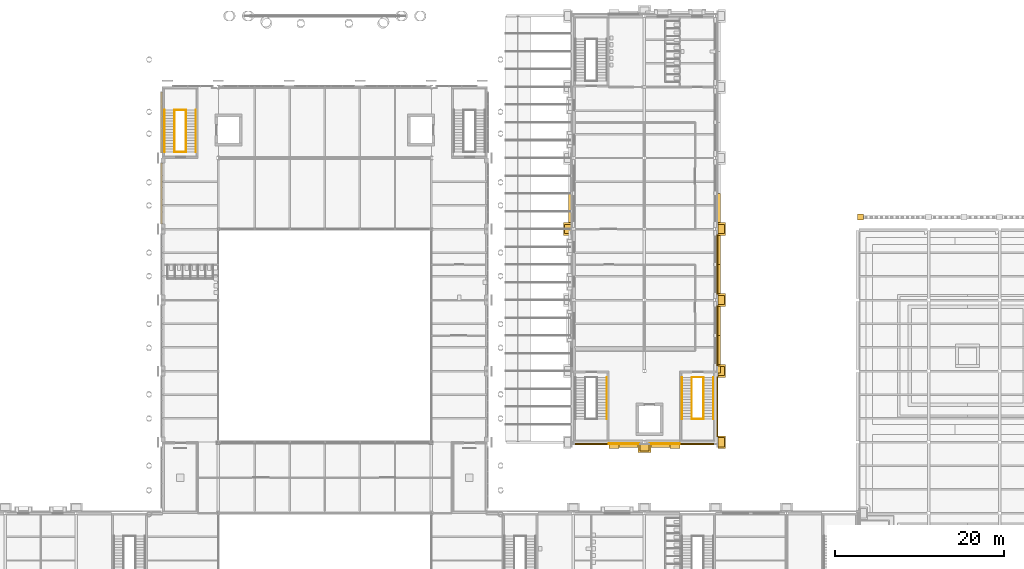
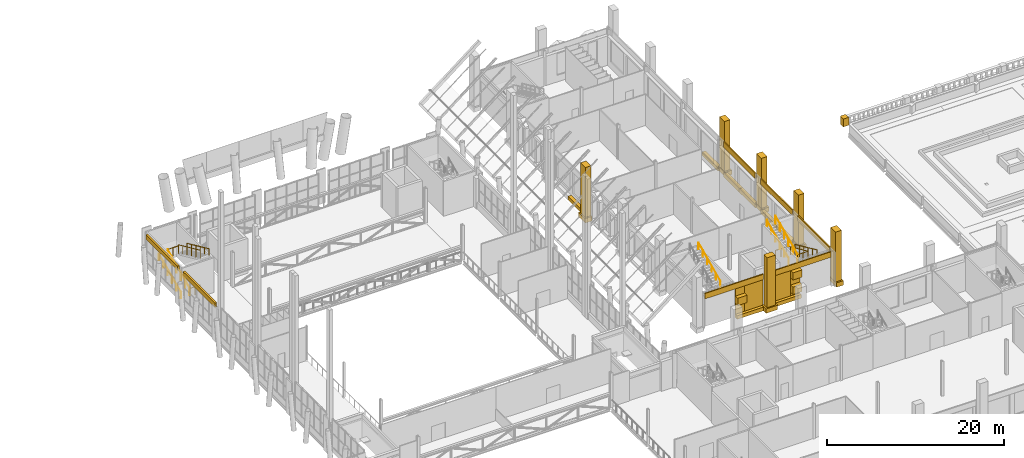
# One storey, part 66 of 76: 38 coverings, 13 railings.
"""IFC4 building model written with IfcOpenShell, lengths in metres."""

from ifc_helpers import new_model, si_unit, direction, frame, origin, origin_2d, place, context, subcontext, project, spatial, polyline, rectangle, circle, outline, extrude, material, layer, layer_set, type_object, element, save


model = new_model("IFC4")

# Units and contexts
model_context = context("Model", 3, precision=1e-05, world=origin(), true_north=direction((0.0, 1.0)))
body_context = subcontext(model_context, "Body", "Model", "MODEL_VIEW")
ifc_project = project(units=[si_unit("LENGTHUNIT", "METRE"), si_unit("AREAUNIT", "SQUARE_METRE"), si_unit("VOLUMEUNIT", "CUBIC_METRE"), si_unit("PLANEANGLEUNIT", "RADIAN"), si_unit("MASSUNIT", "GRAM", prefix="KILO")], contexts=[model_context])

# Site, building, storey
site_placement = place(None, origin())
site = spatial("IfcSite", under=ifc_project, at=site_placement, CompositionType="ELEMENT")
building_placement = place(site_placement, origin())
building = spatial("IfcBuilding", under=site, at=building_placement, Name="Sava Quay Ferry Terminal", CompositionType="ELEMENT")
storey_placement = place(building_placement, frame((0.0, 0.0, 6.0)))
storey = spatial("IfcBuildingStorey", under=building, at=storey_placement, Name="L01", CompositionType="ELEMENT", Elevation=6.0)

# Coverings
ifc_material_1 = material(Name="Limestone Mutalj", Category="masonry")
ifc_layer_1 = layer(ifc_material_1, 0.699951171875)
ifc_layer_set_1 = layer_set([ifc_layer_1], Name="Limestone Mutalj")
covering_type_1 = type_object("IfcCoveringType", Name="Balustrade pier 700", PredefinedType="MOLDING", material=ifc_layer_set_1)
covering_1_placement = place(storey_placement, frame((126.35009765625, 85.409912109375, 0.0), z_axis=(0.0, 0.0, 1.0), x_axis=(1.0, 0.0, 0.0)))
element("IfcCovering", 1, at=covering_1_placement, inside=storey, type_object=covering_type_1, Name="Balustrade pier", PredefinedType="MOLDING", context=body_context, shape_type="SweptSolid", body=[
    extrude(rectangle(XDim=0.699951171875, YDim=0.699951171875, at=origin_2d()), origin(), (0.0, 0.0, 1.0), 1.10009765625),
])
ifc_material_2 = material(Name="Copper patinated")
ifc_layer_2 = layer(ifc_material_2, 0.25)
ifc_layer_set_2 = layer_set([ifc_layer_2], Name="Copper patinated")
covering_type_2 = type_object("IfcCoveringType", Name="Copper spandrel panel 250", PredefinedType="CLADDING", material=ifc_layer_set_2)
for number, where, z_axis, x_axis, name in (
    (2, (43.699951171875, 84.60009765625, 4.199951171875), (0.0, 0.0, 1.0), (0.0, 1.0, 0.0), "Spandrel panel D-W"),
    (3, (43.699951171875, 93.0, 4.199951171875), (0.0, 0.0, 1.0), (0.0, 1.0, 0.0), "Spandrel panel D-W"),
):
    element("IfcCovering", number, at=place(storey_placement, frame(where, z_axis=z_axis, x_axis=x_axis)), inside=storey, type_object=covering_type_2, Name=name, PredefinedType="CLADDING", context=body_context, shape_type="SweptSolid", body=[
        extrude(outline(polyline([(0.0, 0.0), (7.199951171875, 0.0), (7.199951171875, 0.60009765625), (0.0, 0.60009765625), (0.0, 0.0)])), frame((0.0, 0.125, 0.0), z_axis=(0.0, -1.0, 0.0), x_axis=(1.0, 0.0, 0.0)), (0.0, 0.0, 1.0), 0.25),
    ])
ifc_material_3 = material(Name="Limestone Mutalj", Category="masonry")
ifc_layer_3 = layer(ifc_material_3, 0.60009765625)
ifc_layer_set_3 = layer_set([ifc_layer_3], Name="Limestone Mutalj")
covering_type_3 = type_object("IfcCoveringType", Name="Corner quoin block 1200", PredefinedType="CLADDING", material=ifc_layer_set_3)
for number, where, z_axis, x_axis, name in (
    (4, (97.199951171875, 58.340087890625, 2.0), (0.0, 0.0, 1.0), (1.0, 0.0, 0.0), "Corner quoin block"),
    (5, (104.39990234375, 58.340087890625, 1.0), (0.0, 0.0, 1.0), (1.0, 0.0, 0.0), "Corner quoin block"),
    (6, (104.39990234375, 58.340087890625, 3.0), (0.0, 0.0, 1.0), (1.0, 0.0, 0.0), "Corner quoin block"),
):
    element("IfcCovering", number, at=place(storey_placement, frame(where, z_axis=z_axis, x_axis=x_axis)), inside=storey, type_object=covering_type_3, Name=name, PredefinedType="CLADDING", context=body_context, shape_type="SweptSolid", body=[
        extrude(rectangle(XDim=1.199951171875, YDim=0.60009765625, at=origin_2d()), origin(), (0.0, 0.0, 1.0), 1.0),
    ])
ifc_material_4 = material(Name="Limestone Mutalj", Category="masonry")
ifc_layer_4 = layer(ifc_material_4, 0.89990234375)
ifc_layer_set_4 = layer_set([ifc_layer_4], Name="Limestone Mutalj")
covering_type_4 = type_object("IfcCoveringType", Name="Giant-order pilaster base 1500", PredefinedType="MOLDING", material=ifc_layer_set_4)
for number, where, z_axis, x_axis, name in (
    (7, (109.949951171875, 58.800048828125, 0.0), (0.0, 0.0, 1.0), (1.0, 0.0, 0.0), "Giant-order pilaster base"),
    (8, (109.949951171875, 67.199951171875, 0.0), (0.0, 0.0, 1.0), (1.0, 0.0, 0.0), "Giant-order pilaster base"),
    (9, (109.949951171875, 75.60009765625, 0.0), (0.0, 0.0, 1.0), (1.0, 0.0, 0.0), "Giant-order pilaster base"),
    (10, (109.949951171875, 84.0, 0.0), (0.0, 0.0, 1.0), (1.0, 0.0, 0.0), "Giant-order pilaster base"),
):
    element("IfcCovering", number, at=place(storey_placement, frame(where, z_axis=z_axis, x_axis=x_axis)), inside=storey, type_object=covering_type_4, Name=name, PredefinedType="MOLDING", context=body_context, shape_type="SweptSolid", body=[
        extrude(rectangle(XDim=0.89990234375, YDim=1.5, at=origin_2d()), origin(), (0.0, 0.0, 1.0), 0.60009765625),
    ])
covering_2_placement = place(storey_placement, frame((100.800048828125, 58.0400390625, 0.0), z_axis=(0.0, 0.0, 1.0), x_axis=(1.0, 0.0, 0.0)))
element("IfcCovering", 11, at=covering_2_placement, inside=storey, type_object=covering_type_4, Name="Giant-order pilaster base", PredefinedType="MOLDING", context=body_context, shape_type="SweptSolid", body=[
    extrude(rectangle(XDim=1.5, YDim=0.89990234375, at=origin_2d()), origin(), (0.0, 0.0, 1.0), 0.60009765625),
])
covering_3_placement = place(storey_placement, frame((91.64990234375, 84.0, 0.0), z_axis=(0.0, 0.0, 1.0), x_axis=(1.0, 0.0, 0.0)))
element("IfcCovering", 12, at=covering_3_placement, inside=storey, type_object=covering_type_4, Name="Giant-order pilaster base", PredefinedType="MOLDING", context=body_context, shape_type="SweptSolid", body=[
    extrude(rectangle(XDim=0.89990234375, YDim=1.5, at=origin_2d()), origin(), (0.0, 0.0, 1.0), 0.60009765625),
])
ifc_material_5 = material(Name="Limestone Mutalj", Category="masonry")
ifc_layer_5 = layer(ifc_material_5, 0.75)
ifc_layer_set_5 = layer_set([ifc_layer_5], Name="Limestone Mutalj")
covering_type_5 = type_object("IfcCoveringType", Name="Giant-order pilaster shaft 1100", PredefinedType="CLADDING", material=ifc_layer_set_5)
for number, where, z_axis, x_axis, name in (
    (13, (109.875, 58.800048828125, 0.60009765625), (0.0, 0.0, 1.0), (1.0, 0.0, 0.0), "Giant-order pilaster"),
    (14, (109.875, 67.199951171875, 0.60009765625), (0.0, 0.0, 1.0), (1.0, 0.0, 0.0), "Giant-order pilaster"),
    (15, (109.875, 75.60009765625, 0.60009765625), (0.0, 0.0, 1.0), (1.0, 0.0, 0.0), "Giant-order pilaster"),
    (16, (109.875, 84.0, 0.60009765625), (0.0, 0.0, 1.0), (1.0, 0.0, 0.0), "Giant-order pilaster"),
):
    element("IfcCovering", number, at=place(storey_placement, frame(where, z_axis=z_axis, x_axis=x_axis)), inside=storey, type_object=covering_type_5, Name=name, PredefinedType="CLADDING", context=body_context, shape_type="SweptSolid", body=[
        extrude(rectangle(XDim=0.75, YDim=1.10009765625, at=origin_2d()), origin(), (0.0, 0.0, 1.0), 6.89990234375),
    ])
covering_4_placement = place(storey_placement, frame((100.800048828125, 58.114990234375, 0.60009765625), z_axis=(0.0, 0.0, 1.0), x_axis=(1.0, 0.0, 0.0)))
element("IfcCovering", 17, at=covering_4_placement, inside=storey, type_object=covering_type_5, Name="Giant-order pilaster", PredefinedType="CLADDING", context=body_context, shape_type="SweptSolid", body=[
    extrude(rectangle(XDim=1.10009765625, YDim=0.75, at=origin_2d()), origin(), (0.0, 0.0, 1.0), 6.89990234375),
])
covering_5_placement = place(storey_placement, frame((91.72509765625, 84.0, 0.60009765625), z_axis=(0.0, 0.0, 1.0), x_axis=(1.0, 0.0, 0.0)))
element("IfcCovering", 18, at=covering_5_placement, inside=storey, type_object=covering_type_5, Name="Giant-order pilaster", PredefinedType="CLADDING", context=body_context, shape_type="SweptSolid", body=[
    extrude(rectangle(XDim=0.75, YDim=1.10009765625, at=origin_2d()), origin(), (0.0, 0.0, 1.0), 6.89990234375),
])

# Railings
ifc_material_6 = material(Name="Steel S355", Category="steel")
railing_type_1 = type_object("IfcRailingType", Name="Guard 1100", PredefinedType="GUARDRAIL", material=ifc_material_6)
railing_1_placement = place(storey_placement, frame((45.199951171875, 93.1298828125, 0.0)))
element("IfcRailing", 19, at=railing_1_placement, inside=storey, type_object=railing_type_1, Name="Guard at stair well ST-D5 L01", PredefinedType="GUARDRAIL", context=body_context, shape_type="SweptSolid", body=[
    extrude(circle(Radius=0.02392578125, at=origin_2d()), frame((0.0, 0.0, 1.076171875), z_axis=(1.0, 0.0, 0.0), x_axis=(0.0, 1.0, 0.0)), (0.0, 0.0, 1.0), 1.400146484375),
    extrude(circle(Radius=0.02099609375, at=origin_2d()), origin(), (0.0, 0.0, 1.0), 1.052001953125),
    extrude(circle(Radius=0.02099609375, at=origin_2d()), frame((0.7001953125, 0.0, 0.0)), (0.0, 0.0, 1.0), 1.052001953125),
    extrude(circle(Radius=0.02099609375, at=origin_2d()), frame((1.400146484375, 0.0, 0.0)), (0.0, 0.0, 1.0), 1.052001953125),
])
railing_2_placement = place(storey_placement, frame((45.199951171875, 93.1298828125, 0.14990234375)))
element("IfcRailing", 20, at=railing_2_placement, inside=storey, type_object=railing_type_1, Name="Guard at stair well ST-D5 L01", PredefinedType="GUARDRAIL", context=body_context, shape_type="SweptSolid", body=[
    extrude(circle(Radius=0.02392578125, at=origin_2d()), frame((0.0, 0.0, 1.076171875), z_axis=(0.0, 0.910372627913, 0.413789413043), x_axis=(-1.0, 0.0, 0.0)), (0.0, 0.0, 1.0), 5.4375),
    extrude(circle(Radius=0.02099609375, at=origin_2d()), origin(), (0.0, 0.0, 1.0), 1.052001953125),
    extrude(circle(Radius=0.02099609375, at=origin_2d()), frame((0.0, 0.989990234375, 0.449951171875)), (0.0, 0.0, 1.0), 1.052001953125),
    extrude(circle(Radius=0.02099609375, at=origin_2d()), frame((0.0, 1.97998046875, 0.89990234375)), (0.0, 0.0, 1.0), 1.052001953125),
    extrude(circle(Radius=0.02099609375, at=origin_2d()), frame((0.0, 2.97021484375, 1.35009765625)), (0.0, 0.0, 1.0), 1.052001953125),
    extrude(circle(Radius=0.02099609375, at=origin_2d()), frame((0.0, 3.960205078125, 1.800048828125)), (0.0, 0.0, 1.0), 1.052001953125),
    extrude(circle(Radius=0.02099609375, at=origin_2d()), frame((0.0, 4.9501953125, 2.25)), (0.0, 0.0, 1.0), 1.052001953125),
])
railing_3_placement = place(storey_placement, frame((46.60009765625, 98.080078125, 2.550048828125)))
element("IfcRailing", 21, at=railing_3_placement, inside=storey, type_object=railing_type_1, Name="Guard at stair well ST-D5 L01", PredefinedType="GUARDRAIL", context=body_context, shape_type="SweptSolid", body=[
    extrude(circle(Radius=0.02392578125, at=origin_2d()), frame((0.0, 0.0, 1.076171875), z_axis=(0.0, -0.910372627913, 0.413789413043), x_axis=(1.0, 0.0, 0.0)), (0.0, 0.0, 1.0), 5.4375),
    extrude(circle(Radius=0.02099609375, at=origin_2d()), origin(), (0.0, 0.0, 1.0), 1.052001953125),
    extrude(circle(Radius=0.02099609375, at=origin_2d()), frame((0.0, -0.989990234375, 0.449951171875)), (0.0, 0.0, 1.0), 1.052001953125),
    extrude(circle(Radius=0.02099609375, at=origin_2d()), frame((0.0, -1.97998046875, 0.89990234375)), (0.0, 0.0, 1.0), 1.052001953125),
    extrude(circle(Radius=0.02099609375, at=origin_2d()), frame((0.0, -2.97021484375, 1.35009765625)), (0.0, 0.0, 1.0), 1.052001953125),
    extrude(circle(Radius=0.02099609375, at=origin_2d()), frame((0.0, -3.960205078125, 1.800048828125)), (0.0, 0.0, 1.0), 1.052001953125),
    extrude(circle(Radius=0.02099609375, at=origin_2d()), frame((0.0, -4.9501953125, 2.25)), (0.0, 0.0, 1.0), 1.052001953125),
])
for number, where, name in (
    (22, (45.199951171875, 98.080078125, 2.39990234375), "Guard at half landing ST-D5 L01"),
    (23, (106.39990234375, 66.469970703125, 0.0), "Guard at stair well ST-O2 L01"),
):
    element("IfcRailing", number, at=place(storey_placement, frame(where)), inside=storey, type_object=railing_type_1, Name=name, PredefinedType="GUARDRAIL", context=body_context, shape_type="SweptSolid", body=[
        extrude(circle(Radius=0.02392578125, at=origin_2d()), frame((0.0, 0.0, 1.076171875), z_axis=(1.0, 0.0, 0.0), x_axis=(0.0, 1.0, 0.0)), (0.0, 0.0, 1.0), 1.400146484375),
        extrude(circle(Radius=0.02099609375, at=origin_2d()), origin(), (0.0, 0.0, 1.0), 1.052001953125),
        extrude(circle(Radius=0.02099609375, at=origin_2d()), frame((0.7001953125, 0.0, 0.0)), (0.0, 0.0, 1.0), 1.052001953125),
        extrude(circle(Radius=0.02099609375, at=origin_2d()), frame((1.400146484375, 0.0, 0.0)), (0.0, 0.0, 1.0), 1.052001953125),
    ])
railing_4_placement = place(storey_placement, frame((107.800048828125, 66.469970703125, 0.14990234375)))
element("IfcRailing", 24, at=railing_4_placement, inside=storey, type_object=railing_type_1, Name="Guard at stair well ST-O2 L01", PredefinedType="GUARDRAIL", context=body_context, shape_type="SweptSolid", body=[
    extrude(circle(Radius=0.02392578125, at=origin_2d()), frame((0.0, 0.0, 1.076171875), z_axis=(0.0, -0.910364939756, 0.41380632724), x_axis=(1.0, 0.0, 0.0)), (0.0, 0.0, 1.0), 5.437255859375),
    extrude(circle(Radius=0.02099609375, at=origin_2d()), origin(), (0.0, 0.0, 1.0), 1.052001953125),
    extrude(circle(Radius=0.02099609375, at=origin_2d()), frame((0.0, -0.989990234375, 0.449951171875)), (0.0, 0.0, 1.0), 1.052001953125),
    extrude(circle(Radius=0.02099609375, at=origin_2d()), frame((0.0, -1.97998046875, 0.89990234375)), (0.0, 0.0, 1.0), 1.052001953125),
    extrude(circle(Radius=0.02099609375, at=origin_2d()), frame((0.0, -2.969970703125, 1.35009765625)), (0.0, 0.0, 1.0), 1.052001953125),
    extrude(circle(Radius=0.02099609375, at=origin_2d()), frame((0.0, -3.9599609375, 1.800048828125)), (0.0, 0.0, 1.0), 1.052001953125),
    extrude(circle(Radius=0.02099609375, at=origin_2d()), frame((0.0, -4.949951171875, 2.25)), (0.0, 0.0, 1.0), 1.052001953125),
])
railing_5_placement = place(storey_placement, frame((106.39990234375, 61.52001953125, 2.550048828125)))
element("IfcRailing", 25, at=railing_5_placement, inside=storey, type_object=railing_type_1, Name="Guard at stair well ST-O2 L01", PredefinedType="GUARDRAIL", context=body_context, shape_type="SweptSolid", body=[
    extrude(circle(Radius=0.02392578125, at=origin_2d()), frame((0.0, 0.0, 1.076171875), z_axis=(0.0, 0.910364939756, 0.41380632724), x_axis=(-1.0, 0.0, 0.0)), (0.0, 0.0, 1.0), 5.437255859375),
    extrude(circle(Radius=0.02099609375, at=origin_2d()), origin(), (0.0, 0.0, 1.0), 1.052001953125),
    extrude(circle(Radius=0.02099609375, at=origin_2d()), frame((0.0, 0.989990234375, 0.449951171875)), (0.0, 0.0, 1.0), 1.052001953125),
    extrude(circle(Radius=0.02099609375, at=origin_2d()), frame((0.0, 1.97998046875, 0.89990234375)), (0.0, 0.0, 1.0), 1.052001953125),
    extrude(circle(Radius=0.02099609375, at=origin_2d()), frame((0.0, 2.969970703125, 1.35009765625)), (0.0, 0.0, 1.0), 1.052001953125),
    extrude(circle(Radius=0.02099609375, at=origin_2d()), frame((0.0, 3.9599609375, 1.800048828125)), (0.0, 0.0, 1.0), 1.052001953125),
    extrude(circle(Radius=0.02099609375, at=origin_2d()), frame((0.0, 4.949951171875, 2.25)), (0.0, 0.0, 1.0), 1.052001953125),
])
railing_6_placement = place(storey_placement, frame((106.39990234375, 61.52001953125, 2.39990234375)))
element("IfcRailing", 26, at=railing_6_placement, inside=storey, type_object=railing_type_1, Name="Guard at half landing ST-O2 L01", PredefinedType="GUARDRAIL", context=body_context, shape_type="SweptSolid", body=[
    extrude(circle(Radius=0.02392578125, at=origin_2d()), frame((0.0, 0.0, 1.076171875), z_axis=(1.0, 0.0, 0.0), x_axis=(0.0, 1.0, 0.0)), (0.0, 0.0, 1.0), 1.400146484375),
    extrude(circle(Radius=0.02099609375, at=origin_2d()), origin(), (0.0, 0.0, 1.0), 1.052001953125),
    extrude(circle(Radius=0.02099609375, at=origin_2d()), frame((0.7001953125, 0.0, 0.0)), (0.0, 0.0, 1.0), 1.052001953125),
    extrude(circle(Radius=0.02099609375, at=origin_2d()), frame((1.400146484375, 0.0, 0.0)), (0.0, 0.0, 1.0), 1.052001953125),
])

# Coverings
ifc_material_7 = material(Name="Limestone Mutalj", Category="masonry")
ifc_layer_6 = layer(ifc_material_7, 0.080078125)
ifc_layer_set_6 = layer_set([ifc_layer_6], Name="Limestone Mutalj")
covering_type_6 = type_object("IfcCoveringType", Name="Light stone cladding 80", PredefinedType="CLADDING", material=ifc_layer_set_6)
covering_6_placement = place(storey_placement, frame((97.199951171875, 58.60009765625, 0.5), z_axis=(0.0, 0.0, 1.0), x_axis=(1.0, 0.0, 0.0)))
element("IfcCovering", 27, at=covering_6_placement, inside=storey, type_object=covering_type_6, Name="Light stone cladding", PredefinedType="CLADDING", context=body_context, shape_type="SweptSolid", body=[
    extrude(rectangle(XDim=1.199951171875, YDim=0.080078125, at=origin_2d()), origin(), (0.0, 0.0, 1.0), 1.5),
])
covering_7_placement = place(storey_placement, frame((97.199951171875, 58.60009765625, 3.0), z_axis=(0.0, 0.0, 1.0), x_axis=(1.0, 0.0, 0.0)))
element("IfcCovering", 28, at=covering_7_placement, inside=storey, type_object=covering_type_6, Name="Light stone cladding", PredefinedType="CLADDING", context=body_context, shape_type="SweptSolid", body=[
    extrude(rectangle(XDim=1.199951171875, YDim=0.080078125, at=origin_2d()), origin(), (0.0, 0.0, 1.0), 1.050048828125),
])
for number, where, z_axis, x_axis, name in (
    (29, (99.0, 58.60009765625, 0.5), (0.0, 0.0, 1.0), (1.0, 0.0, 0.0), "Light stone cladding"),
    (30, (102.60009765625, 58.60009765625, 0.5), (0.0, 0.0, 1.0), (1.0, 0.0, 0.0), "Light stone cladding"),
):
    element("IfcCovering", number, at=place(storey_placement, frame(where, z_axis=z_axis, x_axis=x_axis)), inside=storey, type_object=covering_type_6, Name=name, PredefinedType="CLADDING", context=body_context, shape_type="SweptSolid", body=[
        extrude(rectangle(XDim=2.39990234375, YDim=0.080078125, at=origin_2d()), origin(), (0.0, 0.0, 1.0), 3.550048828125),
    ])
covering_8_placement = place(storey_placement, frame((104.39990234375, 58.60009765625, 0.5), z_axis=(0.0, 0.0, 1.0), x_axis=(1.0, 0.0, 0.0)))
element("IfcCovering", 31, at=covering_8_placement, inside=storey, type_object=covering_type_6, Name="Light stone cladding", PredefinedType="CLADDING", context=body_context, shape_type="SweptSolid", body=[
    extrude(rectangle(XDim=1.199951171875, YDim=0.080078125, at=origin_2d()), origin(), (0.0, 0.0, 1.0), 0.5),
])
covering_9_placement = place(storey_placement, frame((104.39990234375, 58.60009765625, 2.0), z_axis=(0.0, 0.0, 1.0), x_axis=(1.0, 0.0, 0.0)))
element("IfcCovering", 32, at=covering_9_placement, inside=storey, type_object=covering_type_6, Name="Light stone cladding", PredefinedType="CLADDING", context=body_context, shape_type="SweptSolid", body=[
    extrude(rectangle(XDim=1.199951171875, YDim=0.080078125, at=origin_2d()), origin(), (0.0, 0.0, 1.0), 1.0),
])
ifc_material_8 = material(Name="Limestone Mutalj", Category="masonry")
ifc_layer_7 = layer(ifc_material_8, 0.14990234375)
ifc_layer_set_7 = layer_set([ifc_layer_7], Name="Limestone Mutalj")
covering_type_7 = type_object("IfcCoveringType", Name="Limestone string course 150", PredefinedType="CLADDING", material=ifc_layer_set_7)
covering_10_placement = place(storey_placement, frame((0.0, 0.0, 4.050048828125)))
element("IfcCovering", 33, at=covering_10_placement, inside=storey, type_object=covering_type_7, Name="String course O-S", PredefinedType="CLADDING", context=body_context, shape_type="SweptSolid", body=[
    extrude(outline(polyline([(92.550048828125, 58.639892578125), (100.199951171875, 58.639892578125), (100.199951171875, 58.489990234375), (92.550048828125, 58.489990234375), (92.550048828125, 58.639892578125)])), origin(), (0.0, 0.0, 1.0), 0.75),
])
covering_11_placement = place(storey_placement, frame((0.0, 0.0, 4.050048828125)))
element("IfcCovering", 34, at=covering_11_placement, inside=storey, type_object=covering_type_7, Name="String course O-S", PredefinedType="CLADDING", context=body_context, shape_type="SweptSolid", body=[
    extrude(outline(polyline([(101.39990234375, 58.639892578125), (109.050048828125, 58.639892578125), (109.050048828125, 58.489990234375), (101.39990234375, 58.489990234375), (101.39990234375, 58.639892578125)])), origin(), (0.0, 0.0, 1.0), 0.75),
])
covering_12_placement = place(storey_placement, frame((0.0, 0.0, 4.050048828125)))
element("IfcCovering", 35, at=covering_12_placement, inside=storey, type_object=covering_type_7, Name="String course O-E", PredefinedType="CLADDING", context=body_context, shape_type="SweptSolid", body=[
    extrude(outline(polyline([(109.35009765625, 59.39990234375), (109.35009765625, 66.60009765625), (109.5, 66.60009765625), (109.5, 59.39990234375), (109.35009765625, 59.39990234375)])), origin(), (0.0, 0.0, 1.0), 0.75),
])
covering_13_placement = place(storey_placement, frame((0.0, 0.0, 4.050048828125)))
element("IfcCovering", 36, at=covering_13_placement, inside=storey, type_object=covering_type_7, Name="String course O-E", PredefinedType="CLADDING", context=body_context, shape_type="SweptSolid", body=[
    extrude(outline(polyline([(109.35009765625, 67.800048828125), (109.35009765625, 75.0), (109.5, 75.0), (109.5, 67.800048828125), (109.35009765625, 67.800048828125)])), origin(), (0.0, 0.0, 1.0), 0.75),
])
covering_14_placement = place(storey_placement, frame((0.0, 0.0, 4.050048828125)))
element("IfcCovering", 37, at=covering_14_placement, inside=storey, type_object=covering_type_7, Name="String course O-E", PredefinedType="CLADDING", context=body_context, shape_type="SweptSolid", body=[
    extrude(outline(polyline([(109.35009765625, 76.199951171875), (109.35009765625, 83.39990234375), (109.5, 83.39990234375), (109.5, 76.199951171875), (109.35009765625, 76.199951171875)])), origin(), (0.0, 0.0, 1.0), 0.75),
])
ifc_material_9 = material(Name="Limestone Mutalj", Category="masonry")
ifc_layer_8 = layer(ifc_material_9, 0.449951171875)
ifc_layer_set_8 = layer_set([ifc_layer_8], Name="Limestone Mutalj")
covering_type_8 = type_object("IfcCoveringType", Name="Projecting string course 500", PredefinedType="MOLDING", material=ifc_layer_set_8)
covering_15_placement = place(storey_placement, frame((109.574951171875, 67.39990234375, 0.0), z_axis=(0.0, 0.0, 1.0), x_axis=(1.0, 0.0, 0.0)))
element("IfcCovering", 38, at=covering_15_placement, inside=storey, type_object=covering_type_8, Name="Projecting string course", PredefinedType="MOLDING", context=body_context, shape_type="SweptSolid", body=[
    extrude(rectangle(XDim=0.449951171875, YDim=0.800048828125, at=origin_2d()), origin(), (0.0, 0.0, 1.0), 0.5),
])
for number, where, z_axis, x_axis, name in (
    (39, (109.574951171875, 69.60009765625, 0.0), (0.0, 0.0, 1.0), (1.0, 0.0, 0.0), "Projecting string course"),
    (40, (109.574951171875, 73.199951171875, 0.0), (0.0, 0.0, 1.0), (1.0, 0.0, 0.0), "Projecting string course"),
    (41, (109.574951171875, 78.0, 0.0), (0.0, 0.0, 1.0), (1.0, 0.0, 0.0), "Projecting string course"),
    (42, (109.574951171875, 81.60009765625, 0.0), (0.0, 0.0, 1.0), (1.0, 0.0, 0.0), "Projecting string course"),
    (43, (109.574951171875, 86.39990234375, 0.0), (0.0, 0.0, 1.0), (1.0, 0.0, 0.0), "Projecting string course"),
):
    element("IfcCovering", number, at=place(storey_placement, frame(where, z_axis=z_axis, x_axis=x_axis)), inside=storey, type_object=covering_type_8, Name=name, PredefinedType="MOLDING", context=body_context, shape_type="SweptSolid", body=[
        extrude(rectangle(XDim=0.449951171875, YDim=3.60009765625, at=origin_2d()), origin(), (0.0, 0.0, 1.0), 0.5),
    ])
for number, where, z_axis, x_axis, name in (
    (44, (98.625, 58.4150390625, 0.0), (0.0, 0.0, 1.0), (1.0, 0.0, 0.0), "Projecting string course"),
    (45, (102.97509765625, 58.4150390625, 0.0), (0.0, 0.0, 1.0), (1.0, 0.0, 0.0), "Projecting string course"),
):
    element("IfcCovering", number, at=place(storey_placement, frame(where, z_axis=z_axis, x_axis=x_axis)), inside=storey, type_object=covering_type_8, Name=name, PredefinedType="MOLDING", context=body_context, shape_type="SweptSolid", body=[
        extrude(rectangle(XDim=4.050048828125, YDim=0.449951171875, at=origin_2d()), origin(), (0.0, 0.0, 1.0), 0.5),
    ])
covering_16_placement = place(storey_placement, frame((92.02490234375, 86.39990234375, 0.0), z_axis=(0.0, 0.0, 1.0), x_axis=(1.0, 0.0, 0.0)))
element("IfcCovering", 46, at=covering_16_placement, inside=storey, type_object=covering_type_8, Name="Projecting string course", PredefinedType="MOLDING", context=body_context, shape_type="SweptSolid", body=[
    extrude(rectangle(XDim=0.449951171875, YDim=3.60009765625, at=origin_2d()), origin(), (0.0, 0.0, 1.0), 0.5),
])

# Railings
ifc_material_10 = material(Name="Steel S355", Category="steel")
railing_type_2 = type_object("IfcRailingType", Name="Stair handrail 900", PredefinedType="HANDRAIL", material=ifc_material_10)
railing_7_placement = place(storey_placement, frame((44.06005859375, 93.1298828125, 0.14990234375)))
element("IfcRailing", 47, at=railing_7_placement, inside=storey, type_object=railing_type_2, Name="Handrail ST-D5 L01", PredefinedType="HANDRAIL", context=body_context, shape_type="SweptSolid", body=[
    extrude(circle(Radius=0.02392578125, at=origin_2d()), frame((0.0, 0.0, 0.8759765625), z_axis=(0.0, 0.910372627913, 0.413789413043), x_axis=(-1.0, 0.0, 0.0)), (0.0, 0.0, 1.0), 5.4375),
    extrude(circle(Radius=0.02099609375, at=origin_2d()), origin(), (0.0, 0.0, 1.0), 0.851806640625),
    extrude(circle(Radius=0.02099609375, at=origin_2d()), frame((0.0, 0.989990234375, 0.449951171875)), (0.0, 0.0, 1.0), 0.851806640625),
    extrude(circle(Radius=0.02099609375, at=origin_2d()), frame((0.0, 1.97998046875, 0.89990234375)), (0.0, 0.0, 1.0), 0.851806640625),
    extrude(circle(Radius=0.02099609375, at=origin_2d()), frame((0.0, 2.97021484375, 1.35009765625)), (0.0, 0.0, 1.0), 0.851806640625),
    extrude(circle(Radius=0.02099609375, at=origin_2d()), frame((0.0, 3.960205078125, 1.800048828125)), (0.0, 0.0, 1.0), 0.851806640625),
    extrude(circle(Radius=0.02099609375, at=origin_2d()), frame((0.0, 4.9501953125, 2.25)), (0.0, 0.0, 1.0), 0.851806640625),
])
railing_8_placement = place(storey_placement, frame((47.739990234375, 98.080078125, 2.550048828125)))
element("IfcRailing", 48, at=railing_8_placement, inside=storey, type_object=railing_type_2, Name="Handrail ST-D5 L01", PredefinedType="HANDRAIL", context=body_context, shape_type="SweptSolid", body=[
    extrude(circle(Radius=0.02392578125, at=origin_2d()), frame((0.0, 0.0, 0.8759765625), z_axis=(0.0, -0.910372627913, 0.413789413043), x_axis=(1.0, 0.0, 0.0)), (0.0, 0.0, 1.0), 5.4375),
    extrude(circle(Radius=0.02099609375, at=origin_2d()), origin(), (0.0, 0.0, 1.0), 0.851806640625),
    extrude(circle(Radius=0.02099609375, at=origin_2d()), frame((0.0, -0.989990234375, 0.449951171875)), (0.0, 0.0, 1.0), 0.851806640625),
    extrude(circle(Radius=0.02099609375, at=origin_2d()), frame((0.0, -1.97998046875, 0.89990234375)), (0.0, 0.0, 1.0), 0.851806640625),
    extrude(circle(Radius=0.02099609375, at=origin_2d()), frame((0.0, -2.97021484375, 1.35009765625)), (0.0, 0.0, 1.0), 0.851806640625),
    extrude(circle(Radius=0.02099609375, at=origin_2d()), frame((0.0, -3.960205078125, 1.800048828125)), (0.0, 0.0, 1.0), 0.851806640625),
    extrude(circle(Radius=0.02099609375, at=origin_2d()), frame((0.0, -4.9501953125, 2.25)), (0.0, 0.0, 1.0), 0.851806640625),
])
railing_9_placement = place(storey_placement, frame((96.340087890625, 61.52001953125, 2.550048828125)))
element("IfcRailing", 49, at=railing_9_placement, inside=storey, type_object=railing_type_2, Name="Handrail ST-O1 L01", PredefinedType="HANDRAIL", context=body_context, shape_type="SweptSolid", body=[
    extrude(circle(Radius=0.02392578125, at=origin_2d()), frame((0.0, 0.0, 0.8759765625), z_axis=(0.0, 0.910364939756, 0.41380632724), x_axis=(-1.0, 0.0, 0.0)), (0.0, 0.0, 1.0), 5.437255859375),
    extrude(circle(Radius=0.02099609375, at=origin_2d()), origin(), (0.0, 0.0, 1.0), 0.851806640625),
    extrude(circle(Radius=0.02099609375, at=origin_2d()), frame((0.0, 0.989990234375, 0.449951171875)), (0.0, 0.0, 1.0), 0.851806640625),
    extrude(circle(Radius=0.02099609375, at=origin_2d()), frame((0.0, 1.97998046875, 0.89990234375)), (0.0, 0.0, 1.0), 0.851806640625),
    extrude(circle(Radius=0.02099609375, at=origin_2d()), frame((0.0, 2.969970703125, 1.35009765625)), (0.0, 0.0, 1.0), 0.851806640625),
    extrude(circle(Radius=0.02099609375, at=origin_2d()), frame((0.0, 3.9599609375, 1.800048828125)), (0.0, 0.0, 1.0), 0.851806640625),
    extrude(circle(Radius=0.02099609375, at=origin_2d()), frame((0.0, 4.949951171875, 2.25)), (0.0, 0.0, 1.0), 0.851806640625),
])
railing_10_placement = place(storey_placement, frame((108.93994140625, 66.469970703125, 0.14990234375)))
element("IfcRailing", 50, at=railing_10_placement, inside=storey, type_object=railing_type_2, Name="Handrail ST-O2 L01", PredefinedType="HANDRAIL", context=body_context, shape_type="SweptSolid", body=[
    extrude(circle(Radius=0.02392578125, at=origin_2d()), frame((0.0, 0.0, 0.8759765625), z_axis=(0.0, -0.910364939756, 0.41380632724), x_axis=(1.0, 0.0, 0.0)), (0.0, 0.0, 1.0), 5.437255859375),
    extrude(circle(Radius=0.02099609375, at=origin_2d()), origin(), (0.0, 0.0, 1.0), 0.851806640625),
    extrude(circle(Radius=0.02099609375, at=origin_2d()), frame((0.0, -0.989990234375, 0.449951171875)), (0.0, 0.0, 1.0), 0.851806640625),
    extrude(circle(Radius=0.02099609375, at=origin_2d()), frame((0.0, -1.97998046875, 0.89990234375)), (0.0, 0.0, 1.0), 0.851806640625),
    extrude(circle(Radius=0.02099609375, at=origin_2d()), frame((0.0, -2.969970703125, 1.35009765625)), (0.0, 0.0, 1.0), 0.851806640625),
    extrude(circle(Radius=0.02099609375, at=origin_2d()), frame((0.0, -3.9599609375, 1.800048828125)), (0.0, 0.0, 1.0), 0.851806640625),
    extrude(circle(Radius=0.02099609375, at=origin_2d()), frame((0.0, -4.949951171875, 2.25)), (0.0, 0.0, 1.0), 0.851806640625),
])
railing_11_placement = place(storey_placement, frame((105.260009765625, 61.52001953125, 2.550048828125)))
element("IfcRailing", 51, at=railing_11_placement, inside=storey, type_object=railing_type_2, Name="Handrail ST-O2 L01", PredefinedType="HANDRAIL", context=body_context, shape_type="SweptSolid", body=[
    extrude(circle(Radius=0.02392578125, at=origin_2d()), frame((0.0, 0.0, 0.8759765625), z_axis=(0.0, 0.910364939756, 0.41380632724), x_axis=(-1.0, 0.0, 0.0)), (0.0, 0.0, 1.0), 5.437255859375),
    extrude(circle(Radius=0.02099609375, at=origin_2d()), origin(), (0.0, 0.0, 1.0), 0.851806640625),
    extrude(circle(Radius=0.02099609375, at=origin_2d()), frame((0.0, 0.989990234375, 0.449951171875)), (0.0, 0.0, 1.0), 0.851806640625),
    extrude(circle(Radius=0.02099609375, at=origin_2d()), frame((0.0, 1.97998046875, 0.89990234375)), (0.0, 0.0, 1.0), 0.851806640625),
    extrude(circle(Radius=0.02099609375, at=origin_2d()), frame((0.0, 2.969970703125, 1.35009765625)), (0.0, 0.0, 1.0), 0.851806640625),
    extrude(circle(Radius=0.02099609375, at=origin_2d()), frame((0.0, 3.9599609375, 1.800048828125)), (0.0, 0.0, 1.0), 0.851806640625),
    extrude(circle(Radius=0.02099609375, at=origin_2d()), frame((0.0, 4.949951171875, 2.25)), (0.0, 0.0, 1.0), 0.851806640625),
])

save(model, "model.ifc")
